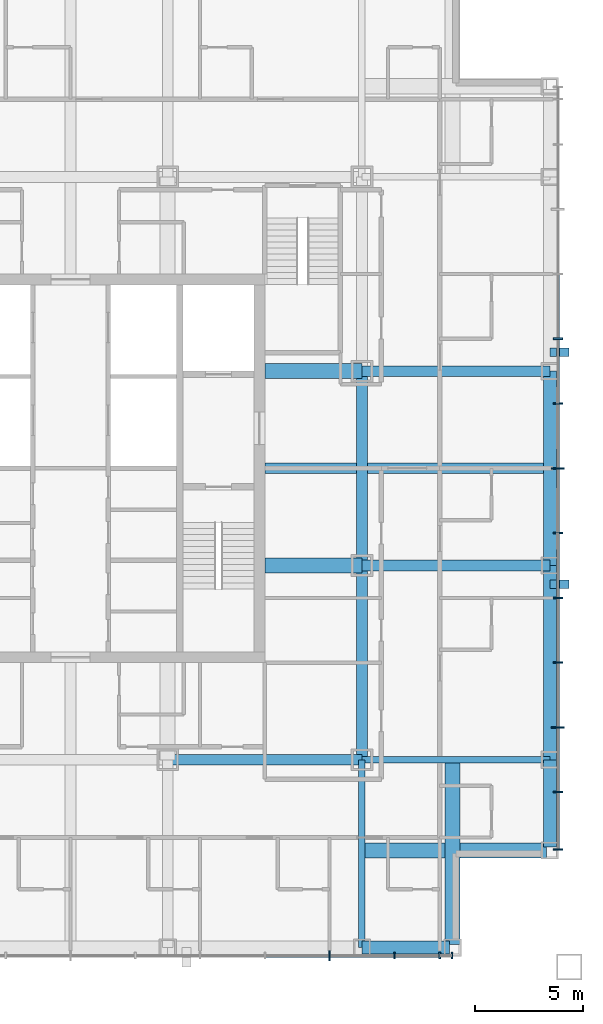
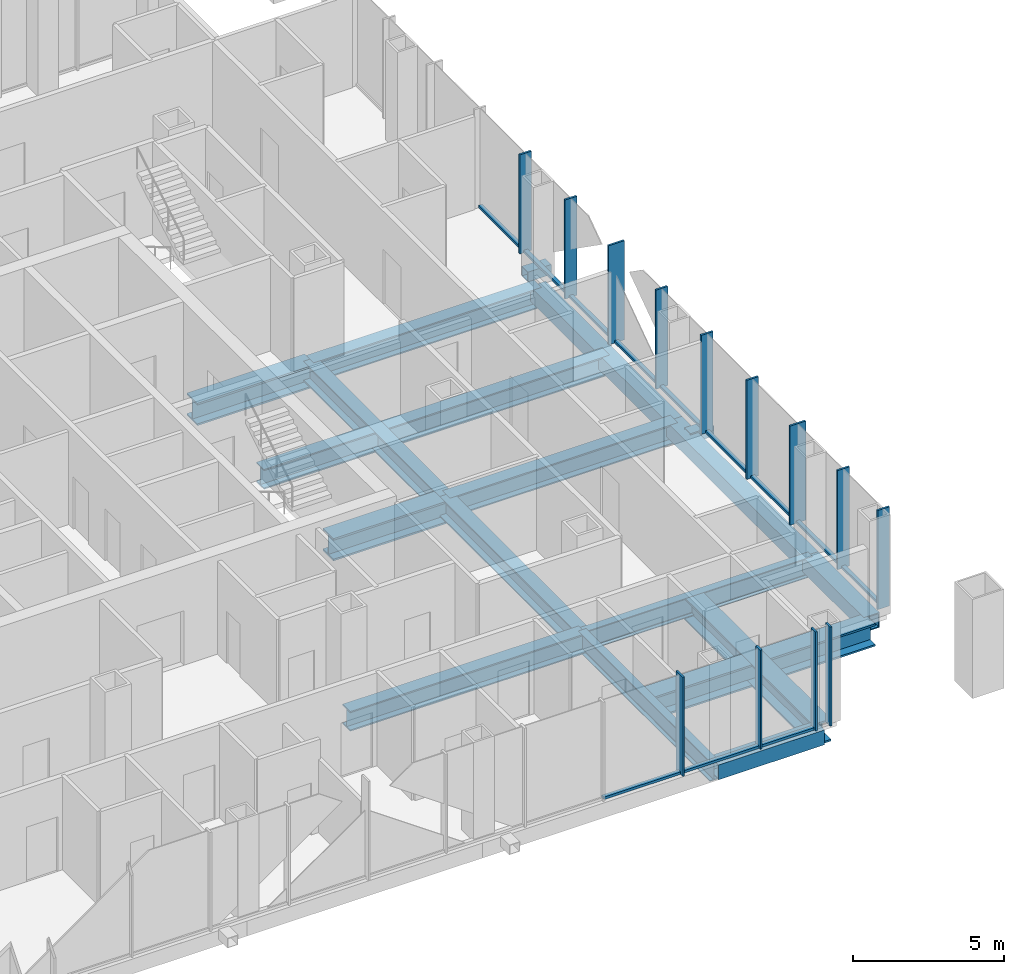
# One storey, part 3 of 17: 27 members, 16 beams, 2 elements without a shape of their own.
"""IFC4 building model written with IfcOpenShell, lengths in metres."""

from ifc_helpers import new_model, si_unit, direction, frame, origin, origin_2d, place, context, subcontext, project, spatial, rectangle, hollow_rectangle, i_section, extrude, material, layer, layer_set, material_profile, profile_set, type_object, element, aggregate, save


model = new_model("IFC4")

# Units and contexts
model_context = context("Model", 3, precision=1e-05, world=origin(), true_north=direction((0.0, 1.0)))
body_context = subcontext(model_context, "Body", "Model", "MODEL_VIEW")
ifc_project = project(units=[si_unit("LENGTHUNIT", "METRE"), si_unit("AREAUNIT", "SQUARE_METRE"), si_unit("VOLUMEUNIT", "CUBIC_METRE"), si_unit("PLANEANGLEUNIT", "RADIAN"), si_unit("MASSUNIT", "GRAM", prefix="KILO")], contexts=[model_context])

# Site, building, storey
site_placement = place(None, origin())
site = spatial("IfcSite", under=ifc_project, at=site_placement, CompositionType="ELEMENT")
building_placement = place(site_placement, origin())
building = spatial("IfcBuilding", under=site, at=building_placement, Name="Malebo Sky Hospital", CompositionType="ELEMENT")
storey_placement = place(building_placement, frame((0.0, 0.0, 189.0)))
storey = spatial("IfcBuildingStorey", under=building, at=storey_placement, Name="L45", CompositionType="ELEMENT", Elevation=189.0)

# Curtain wall, members
ifc_material_1 = material(Name="Anodised aluminium, natural silver", Category="aluminium")
ifc_layer_1 = layer(ifc_material_1, 0.25)
ifc_layer_set_1 = layer_set([ifc_layer_1], Name="WARD CURTAIN WALL NORTH AND SOUTH")
curtain_wall_type_1 = type_object("IfcCurtainWallType", Name="WARD CURTAIN WALL NORTH AND SOUTH", PredefinedType="NOTDEFINED", material=ifc_layer_set_1)
curtain_wall_1_placement = place(storey_placement, origin())
curtain_wall_1 = element("IfcCurtainWall", 1, at=curtain_wall_1_placement, inside=storey, type_object=curtain_wall_type_1, Name="NS curtain wall S", PredefinedType="NOTDEFINED")
ifc_material_profile_1 = material_profile(ifc_material_1, rectangle(XDim=0.14990234375, YDim=0.10009765625, at=origin_2d()), Name="ALUMINIUM TRANSOM 150x100")
ifc_profile_set_1 = profile_set([ifc_material_profile_1], Name="Anodised aluminium, natural silver")
member_type_1 = type_object("IfcMemberType", Name="ALUMINIUM TRANSOM 150x100", PredefinedType="USERDEFINED", material=ifc_profile_set_1)
member_1_placement = place(storey_placement, frame((77.0625, 39.425048828125, 0.050048828125), z_axis=(-1.0, 0.0, 0.0), x_axis=(0.0, -1.0, 0.0)))
member_1 = element("IfcMember", 2, at=member_1_placement, type_object=member_type_1, Name="Transom 2", ObjectType="TRANSOM", PredefinedType="USERDEFINED", context=body_context, shape_type="SweptSolid", body=[
    extrude(rectangle(XDim=0.14990234375, YDim=0.10009765625, at=origin_2d()), origin(), (0.0, 0.0, 1.0), 2.02490234375),
])
member_2_placement = place(storey_placement, frame((74.96240234375, 39.425048828125, 0.050048828125), z_axis=(-1.0, 0.0, 0.0), x_axis=(0.0, -1.0, 0.0)))
member_2 = element("IfcMember", 3, at=member_2_placement, type_object=member_type_1, Name="Transom 3", ObjectType="TRANSOM", PredefinedType="USERDEFINED", context=body_context, shape_type="SweptSolid", body=[
    extrude(rectangle(XDim=0.14990234375, YDim=0.10009765625, at=origin_2d()), origin(), (0.0, 0.0, 1.0), 2.9248046875),
])
member_3_placement = place(storey_placement, frame((71.96240234375, 39.425048828125, 0.050048828125), z_axis=(-1.0, 0.0, 0.0), x_axis=(0.0, -1.0, 0.0)))
member_3 = element("IfcMember", 4, at=member_3_placement, type_object=member_type_1, Name="Transom 4", ObjectType="TRANSOM", PredefinedType="USERDEFINED", context=body_context, shape_type="SweptSolid", body=[
    extrude(rectangle(XDim=0.14990234375, YDim=0.10009765625, at=origin_2d()), origin(), (0.0, 0.0, 1.0), 2.9248046875),
])

ifc_layer_2 = layer(ifc_material_1, 0.25)
ifc_layer_set_2 = layer_set([ifc_layer_2], Name="WARD CURTAIN WALL EAST AND WEST")
curtain_wall_type_2 = type_object("IfcCurtainWallType", Name="WARD CURTAIN WALL EAST AND WEST", PredefinedType="NOTDEFINED", material=ifc_layer_set_2)
curtain_wall_2_placement = place(storey_placement, origin())
curtain_wall_2 = element("IfcCurtainWall", 5, at=curtain_wall_2_placement, inside=storey, type_object=curtain_wall_type_2, Name="EW curtain wall E", PredefinedType="NOTDEFINED")
member_4_placement = place(storey_placement, frame((82.574951171875, 70.96240234375, 0.050048828125), z_axis=(0.0, -1.0, 0.0), x_axis=(1.0, 0.0, 0.0)))
member_4 = element("IfcMember", 6, at=member_4_placement, type_object=member_type_1, Name="Transom 5", ObjectType="TRANSOM", PredefinedType="USERDEFINED", context=body_context, shape_type="SweptSolid", body=[
    extrude(rectangle(XDim=0.14990234375, YDim=0.10009765625, at=origin_2d()), origin(), (0.0, 0.0, 1.0), 2.9248046875),
])
member_5_placement = place(storey_placement, frame((82.574951171875, 67.96240234375, 0.050048828125), z_axis=(0.0, -1.0, 0.0), x_axis=(1.0, 0.0, 0.0)))
member_5 = element("IfcMember", 7, at=member_5_placement, type_object=member_type_1, Name="Transom 6", ObjectType="TRANSOM", PredefinedType="USERDEFINED", context=body_context, shape_type="SweptSolid", body=[
    extrude(rectangle(XDim=0.14990234375, YDim=0.10009765625, at=origin_2d()), origin(), (0.0, 0.0, 1.0), 2.9248046875),
])
member_6_placement = place(storey_placement, frame((82.574951171875, 64.96240234375, 0.050048828125), z_axis=(0.0, -1.0, 0.0), x_axis=(1.0, 0.0, 0.0)))
member_6 = element("IfcMember", 8, at=member_6_placement, type_object=member_type_1, Name="Transom 7", ObjectType="TRANSOM", PredefinedType="USERDEFINED", context=body_context, shape_type="SweptSolid", body=[
    extrude(rectangle(XDim=0.14990234375, YDim=0.10009765625, at=origin_2d()), origin(), (0.0, 0.0, 1.0), 2.9248046875),
])
member_7_placement = place(storey_placement, frame((82.574951171875, 61.96240234375, 0.050048828125), z_axis=(0.0, -1.0, 0.0), x_axis=(1.0, 0.0, 0.0)))
member_7 = element("IfcMember", 9, at=member_7_placement, type_object=member_type_1, Name="Transom 8", ObjectType="TRANSOM", PredefinedType="USERDEFINED", context=body_context, shape_type="SweptSolid", body=[
    extrude(rectangle(XDim=0.14990234375, YDim=0.10009765625, at=origin_2d()), origin(), (0.0, 0.0, 1.0), 2.9248046875),
])
member_8_placement = place(storey_placement, frame((82.574951171875, 58.96240234375, 0.050048828125), z_axis=(0.0, -1.0, 0.0), x_axis=(1.0, 0.0, 0.0)))
member_8 = element("IfcMember", 10, at=member_8_placement, type_object=member_type_1, Name="Transom 9", ObjectType="TRANSOM", PredefinedType="USERDEFINED", context=body_context, shape_type="SweptSolid", body=[
    extrude(rectangle(XDim=0.14990234375, YDim=0.10009765625, at=origin_2d()), origin(), (0.0, 0.0, 1.0), 2.9248046875),
])
member_9_placement = place(storey_placement, frame((82.574951171875, 55.96240234375, 0.050048828125), z_axis=(0.0, -1.0, 0.0), x_axis=(1.0, 0.0, 0.0)))
member_9 = element("IfcMember", 11, at=member_9_placement, type_object=member_type_1, Name="Transom 10", ObjectType="TRANSOM", PredefinedType="USERDEFINED", context=body_context, shape_type="SweptSolid", body=[
    extrude(rectangle(XDim=0.14990234375, YDim=0.10009765625, at=origin_2d()), origin(), (0.0, 0.0, 1.0), 2.9248046875),
])
member_10_placement = place(storey_placement, frame((82.574951171875, 52.96240234375, 0.050048828125), z_axis=(0.0, -1.0, 0.0), x_axis=(1.0, 0.0, 0.0)))
member_10 = element("IfcMember", 12, at=member_10_placement, type_object=member_type_1, Name="Transom 11", ObjectType="TRANSOM", PredefinedType="USERDEFINED", context=body_context, shape_type="SweptSolid", body=[
    extrude(rectangle(XDim=0.14990234375, YDim=0.10009765625, at=origin_2d()), origin(), (0.0, 0.0, 1.0), 2.9248046875),
])
member_11_placement = place(storey_placement, frame((82.574951171875, 49.96240234375, 0.050048828125), z_axis=(0.0, -1.0, 0.0), x_axis=(1.0, 0.0, 0.0)))
member_11 = element("IfcMember", 13, at=member_11_placement, type_object=member_type_1, Name="Transom 12", ObjectType="TRANSOM", PredefinedType="USERDEFINED", context=body_context, shape_type="SweptSolid", body=[
    extrude(rectangle(XDim=0.14990234375, YDim=0.10009765625, at=origin_2d()), origin(), (0.0, 0.0, 1.0), 2.9248046875),
])
member_12_placement = place(storey_placement, frame((82.574951171875, 46.96240234375, 0.050048828125), z_axis=(0.0, -1.0, 0.0), x_axis=(1.0, 0.0, 0.0)))
member_12 = element("IfcMember", 14, at=member_12_placement, type_object=member_type_1, Name="Transom 13", ObjectType="TRANSOM", PredefinedType="USERDEFINED", context=body_context, shape_type="SweptSolid", body=[
    extrude(rectangle(XDim=0.14990234375, YDim=0.10009765625, at=origin_2d()), origin(), (0.0, 0.0, 1.0), 2.58740234375),
])

# Members
ifc_material_2 = material(Name="Steel S355", Category="steel")
ifc_material_profile_2 = material_profile(ifc_material_2, hollow_rectangle(XDim=0.39990234375, YDim=0.39990234375, WallThickness=0.02001953125, at=origin_2d()), Name="SHS 400x20")
ifc_profile_set_2 = profile_set([ifc_material_profile_2], Name="Steel S355")
member_type_2 = type_object("IfcMemberType", Name="BRACE STRUT SHS 400x20", PredefinedType="STRUT", material=ifc_profile_set_2)
for number, where, z_axis, x_axis, name in (
    (15, (83.10009765625, 56.62548828125, -0.39990234375), (-1.0, 0.0, 0.0), (0.0, -1.0, 0.0), "Brace strut CE1 L45"),
    (16, (83.10009765625, 67.37451171875, -0.39990234375), (-1.0, 0.0, 0.0), (0.0, -1.0, 0.0), "Brace strut CE2 L45"),
):
    element("IfcMember", number, at=place(storey_placement, frame(where, z_axis=z_axis, x_axis=x_axis)), inside=storey, type_object=member_type_2, Name=name, PredefinedType="STRUT", context=body_context, shape_type="SweptSolid", body=[
        extrude(hollow_rectangle(XDim=0.39990234375, YDim=0.39990234375, WallThickness=0.02001953125, at=origin_2d()), origin(), (0.0, 0.0, 1.0), 0.900146484375),
    ])

# Member
ifc_material_profile_3 = material_profile(ifc_material_1, rectangle(XDim=0.074951171875, YDim=0.300048828125, at=origin_2d()), Name="CW1 ALUMINIUM FIN MULLION 75x300")
ifc_profile_set_3 = profile_set([ifc_material_profile_3], Name="Anodised aluminium, natural silver")
member_type_3 = type_object("IfcMemberType", Name="CW1 ALUMINIUM FIN MULLION 75x300", PredefinedType="MULLION", material=ifc_profile_set_3)
member_13_placement = place(storey_placement, frame((77.66259765625, 39.425048828125, 0.0), z_axis=(0.0, 0.0, 1.0), x_axis=(-1.0, 0.0, 0.0)))
member_13 = element("IfcMember", 17, at=member_13_placement, type_object=member_type_3, Name="Fin mullion 1", PredefinedType="MULLION", context=body_context, shape_type="SweptSolid", body=[
    extrude(rectangle(XDim=0.074951171875, YDim=0.300048828125, at=origin_2d()), origin(), (0.0, 0.0, 1.0), 4.0),
])

member_14_placement = place(storey_placement, frame((77.10009765625, 39.425048828125, 0.0), z_axis=(0.0, 0.0, 1.0), x_axis=(-1.0, 0.0, 0.0)))
member_14 = element("IfcMember", 18, at=member_14_placement, type_object=member_type_3, Name="Fin mullion 2", PredefinedType="MULLION", context=body_context, shape_type="SweptSolid", body=[
    extrude(rectangle(XDim=0.074951171875, YDim=0.300048828125, at=origin_2d()), origin(), (0.0, 0.0, 1.0), 4.0),
])

member_15_placement = place(storey_placement, frame((75.0, 39.425048828125, 0.0), z_axis=(0.0, 0.0, 1.0), x_axis=(-1.0, 0.0, 0.0)))
member_15 = element("IfcMember", 19, at=member_15_placement, type_object=member_type_3, Name="Fin mullion 3", PredefinedType="MULLION", context=body_context, shape_type="SweptSolid", body=[
    extrude(rectangle(XDim=0.074951171875, YDim=0.300048828125, at=origin_2d()), origin(), (0.0, 0.0, 1.0), 4.0),
])

ifc_material_profile_4 = material_profile(ifc_material_1, rectangle(XDim=0.074951171875, YDim=0.449951171875, at=origin_2d()), Name="CW1 ALUMINIUM FIN MULLION 75x450")
ifc_profile_set_4 = profile_set([ifc_material_profile_4], Name="Anodised aluminium, natural silver")
member_type_4 = type_object("IfcMemberType", Name="CW1 ALUMINIUM FIN MULLION 75x450", PredefinedType="MULLION", material=ifc_profile_set_4)
member_16_placement = place(storey_placement, frame((72.0, 39.425048828125, 0.0), z_axis=(0.0, 0.0, 1.0), x_axis=(-1.0, 0.0, 0.0)))
member_16 = element("IfcMember", 20, at=member_16_placement, type_object=member_type_4, Name="Fin mullion 4", PredefinedType="MULLION", context=body_context, shape_type="SweptSolid", body=[
    extrude(rectangle(XDim=0.074951171875, YDim=0.449951171875, at=origin_2d()), origin(), (0.0, 0.0, 1.0), 4.0),
])

aggregate(curtain_wall_1, [member_13, member_14, member_15, member_16, member_1, member_2, member_3])

ifc_material_profile_5 = material_profile(ifc_material_1, rectangle(XDim=0.074951171875, YDim=0.449951171875, at=origin_2d()), Name="CW2 ALUMINIUM FIN MULLION 75x450")
ifc_profile_set_5 = profile_set([ifc_material_profile_5], Name="Anodised aluminium, natural silver")
member_type_5 = type_object("IfcMemberType", Name="CW2 ALUMINIUM FIN MULLION 75x450", PredefinedType="MULLION", material=ifc_profile_set_5)
member_17_placement = place(storey_placement, frame((82.574951171875, 68.0, 0.0), z_axis=(0.0, 0.0, 1.0), x_axis=(0.0, -1.0, 0.0)))
member_17 = element("IfcMember", 21, at=member_17_placement, type_object=member_type_5, Name="Fin mullion 6", PredefinedType="MULLION", context=body_context, shape_type="SweptSolid", body=[
    extrude(rectangle(XDim=0.074951171875, YDim=0.449951171875, at=origin_2d()), origin(), (0.0, 0.0, 1.0), 4.0),
])

member_18_placement = place(storey_placement, frame((82.574951171875, 65.0, 0.0), z_axis=(0.0, 0.0, 1.0), x_axis=(0.0, -1.0, 0.0)))
member_18 = element("IfcMember", 22, at=member_18_placement, type_object=member_type_5, Name="Fin mullion 7", PredefinedType="MULLION", context=body_context, shape_type="SweptSolid", body=[
    extrude(rectangle(XDim=0.074951171875, YDim=0.449951171875, at=origin_2d()), origin(), (0.0, 0.0, 1.0), 4.0),
])

member_19_placement = place(storey_placement, frame((82.574951171875, 59.0, 0.0), z_axis=(0.0, 0.0, 1.0), x_axis=(0.0, -1.0, 0.0)))
member_19 = element("IfcMember", 23, at=member_19_placement, type_object=member_type_5, Name="Fin mullion 9", PredefinedType="MULLION", context=body_context, shape_type="SweptSolid", body=[
    extrude(rectangle(XDim=0.074951171875, YDim=0.449951171875, at=origin_2d()), origin(), (0.0, 0.0, 1.0), 4.0),
])

member_20_placement = place(storey_placement, frame((82.574951171875, 56.0, 0.0), z_axis=(0.0, 0.0, 1.0), x_axis=(0.0, -1.0, 0.0)))
member_20 = element("IfcMember", 24, at=member_20_placement, type_object=member_type_5, Name="Fin mullion 10", PredefinedType="MULLION", context=body_context, shape_type="SweptSolid", body=[
    extrude(rectangle(XDim=0.074951171875, YDim=0.449951171875, at=origin_2d()), origin(), (0.0, 0.0, 1.0), 4.0),
])

member_21_placement = place(storey_placement, frame((82.574951171875, 53.0, 0.0), z_axis=(0.0, 0.0, 1.0), x_axis=(0.0, -1.0, 0.0)))
member_21 = element("IfcMember", 25, at=member_21_placement, type_object=member_type_5, Name="Fin mullion 11", PredefinedType="MULLION", context=body_context, shape_type="SweptSolid", body=[
    extrude(rectangle(XDim=0.074951171875, YDim=0.449951171875, at=origin_2d()), origin(), (0.0, 0.0, 1.0), 4.0),
])

member_22_placement = place(storey_placement, frame((82.574951171875, 47.0, 0.0), z_axis=(0.0, 0.0, 1.0), x_axis=(0.0, -1.0, 0.0)))
member_22 = element("IfcMember", 26, at=member_22_placement, type_object=member_type_5, Name="Fin mullion 13", PredefinedType="MULLION", context=body_context, shape_type="SweptSolid", body=[
    extrude(rectangle(XDim=0.074951171875, YDim=0.449951171875, at=origin_2d()), origin(), (0.0, 0.0, 1.0), 4.0),
])

member_23_placement = place(storey_placement, frame((82.574951171875, 44.33740234375, 0.0), z_axis=(0.0, 0.0, 1.0), x_axis=(0.0, -1.0, 0.0)))
member_23 = element("IfcMember", 27, at=member_23_placement, type_object=member_type_5, Name="Fin mullion 14", PredefinedType="MULLION", context=body_context, shape_type="SweptSolid", body=[
    extrude(rectangle(XDim=0.074951171875, YDim=0.449951171875, at=origin_2d()), origin(), (0.0, 0.0, 1.0), 4.0),
])

ifc_material_profile_6 = material_profile(ifc_material_1, rectangle(XDim=0.074951171875, YDim=0.60009765625, at=origin_2d()), Name="CW2 ALUMINIUM FIN MULLION 75x600")
ifc_profile_set_6 = profile_set([ifc_material_profile_6], Name="Anodised aluminium, natural silver")
member_type_6 = type_object("IfcMemberType", Name="CW2 ALUMINIUM FIN MULLION 75x600", PredefinedType="MULLION", material=ifc_profile_set_6)
member_24_placement = place(storey_placement, frame((82.574951171875, 62.0, 0.0), z_axis=(0.0, 0.0, 1.0), x_axis=(0.0, -1.0, 0.0)))
member_24 = element("IfcMember", 28, at=member_24_placement, type_object=member_type_6, Name="Fin mullion 8", PredefinedType="MULLION", context=body_context, shape_type="SweptSolid", body=[
    extrude(rectangle(XDim=0.074951171875, YDim=0.60009765625, at=origin_2d()), origin(), (0.0, 0.0, 1.0), 4.0),
])

member_25_placement = place(storey_placement, frame((82.574951171875, 50.0, 0.0), z_axis=(0.0, 0.0, 1.0), x_axis=(0.0, -1.0, 0.0)))
member_25 = element("IfcMember", 29, at=member_25_placement, type_object=member_type_6, Name="Fin mullion 12", PredefinedType="MULLION", context=body_context, shape_type="SweptSolid", body=[
    extrude(rectangle(XDim=0.074951171875, YDim=0.60009765625, at=origin_2d()), origin(), (0.0, 0.0, 1.0), 4.0),
])

aggregate(curtain_wall_2, [member_17, member_18, member_24, member_19, member_20, member_21, member_25, member_22, member_23, member_4, member_5, member_6, member_7, member_8, member_9, member_10, member_11, member_12])

# Beams
ifc_material_3 = material(Name="Steel S460", Category="steel")
ifc_material_profile_7 = material_profile(ifc_material_3, hollow_rectangle(XDim=0.60009765625, YDim=0.60009765625, WallThickness=0.0400390625, at=origin_2d()), Name="BOX 600x600x40")
ifc_profile_set_7 = profile_set([ifc_material_profile_7], Name="Steel S460")
beam_type_1 = type_object("IfcBeamType", Name="EDGE BEAM BOX 600x600x40", PredefinedType="BEAM", material=ifc_profile_set_7)
beam_1_placement = place(storey_placement, frame((82.199951171875, 44.449951171875, -0.550048828125), z_axis=(0.0, 1.0, 0.0), x_axis=(-1.0, 0.0, 0.0)))
element("IfcBeam", 30, at=beam_1_placement, inside=storey, type_object=beam_type_1, Name="Beam 029 L45", PredefinedType="BEAM", context=body_context, shape_type="SweptSolid", body=[
    extrude(hollow_rectangle(XDim=0.60009765625, YDim=0.60009765625, WallThickness=0.0400390625, at=origin_2d()), origin(), (0.0, 0.0, 1.0), 4.050048828125),
])
for number, where, z_axis, x_axis, name in (
    (31, (82.199951171875, 48.5, -0.550048828125), (0.0, 1.0, 0.0), (-1.0, 0.0, 0.0), "Beam 030 L45"),
    (32, (82.199951171875, 57.5, -0.550048828125), (0.0, 1.0, 0.0), (-1.0, 0.0, 0.0), "Beam 031 L45"),
):
    element("IfcBeam", number, at=place(storey_placement, frame(where, z_axis=z_axis, x_axis=x_axis)), inside=storey, type_object=beam_type_1, Name=name, PredefinedType="BEAM", context=body_context, shape_type="SweptSolid", body=[
        extrude(hollow_rectangle(XDim=0.60009765625, YDim=0.60009765625, WallThickness=0.0400390625, at=origin_2d()), origin(), (0.0, 0.0, 1.0), 9.0),
    ])
beam_2_placement = place(storey_placement, frame((73.5, 39.800048828125, -0.550048828125), z_axis=(1.0, 0.0, 0.0), x_axis=(0.0, 1.0, 0.0)))
element("IfcBeam", 33, at=beam_2_placement, inside=storey, type_object=beam_type_1, Name="Beam 038 L45", PredefinedType="BEAM", context=body_context, shape_type="SweptSolid", body=[
    extrude(hollow_rectangle(XDim=0.60009765625, YDim=0.60009765625, WallThickness=0.0400390625, at=origin_2d()), origin(), (0.0, 0.0, 1.0), 4.050048828125),
])
ifc_material_profile_8 = material_profile(ifc_material_2, i_section(OverallWidth=0.5, OverallDepth=0.800048828125, WebThickness=0.030029296875, FlangeThickness=0.050048828125, at=origin_2d()), Name="PG 800x500x30x50")
ifc_profile_set_8 = profile_set([ifc_material_profile_8], Name="Steel S355")
beam_type_2 = type_object("IfcBeamType", Name="FLOOR BEAM PG 800x500x30x50", PredefinedType="BEAM", material=ifc_profile_set_8)
for number, where, z_axis, x_axis, name in (
    (34, (73.5, 48.5, -0.64990234375), (0.0, 1.0, 0.0), (-1.0, 0.0, 0.0), "Beam 023 L45"),
    (35, (64.5, 48.5, -0.64990234375), (1.0, 0.0, 0.0), (0.0, 1.0, 0.0), "Beam 044 L45"),
):
    element("IfcBeam", number, at=place(storey_placement, frame(where, z_axis=z_axis, x_axis=x_axis)), inside=storey, type_object=beam_type_2, Name=name, PredefinedType="BEAM", context=body_context, shape_type="SweptSolid", body=[
        extrude(i_section(OverallWidth=0.5, OverallDepth=0.800048828125, WebThickness=0.030029296875, FlangeThickness=0.050048828125, at=origin_2d()), origin(), (0.0, 0.0, 1.0), 9.0),
    ])
beam_3_placement = place(storey_placement, frame((73.5, 57.5, -0.64990234375), z_axis=(1.0, 0.0, 0.0), x_axis=(0.0, 1.0, 0.0)))
element("IfcBeam", 36, at=beam_3_placement, inside=storey, type_object=beam_type_2, Name="Beam 049 L45", PredefinedType="BEAM", context=body_context, shape_type="SweptSolid", body=[
    extrude(i_section(OverallWidth=0.5, OverallDepth=0.800048828125, WebThickness=0.030029296875, FlangeThickness=0.050048828125, at=origin_2d()), origin(), (0.0, 0.0, 1.0), 8.699951171875),
])
beam_4_placement = place(storey_placement, frame((69.0, 62.0, -0.64990234375), z_axis=(1.0, 0.0, 0.0), x_axis=(0.0, 1.0, 0.0)))
element("IfcBeam", 37, at=beam_4_placement, inside=storey, type_object=beam_type_2, Name="Beam 051 L45", PredefinedType="BEAM", context=body_context, shape_type="SweptSolid", body=[
    extrude(i_section(OverallWidth=0.5, OverallDepth=0.800048828125, WebThickness=0.030029296875, FlangeThickness=0.050048828125, at=origin_2d()), origin(), (0.0, 0.0, 1.0), 13.199951171875),
])
beam_5_placement = place(storey_placement, frame((73.5, 66.5, -0.64990234375), z_axis=(1.0, 0.0, 0.0), x_axis=(0.0, 1.0, 0.0)))
element("IfcBeam", 38, at=beam_5_placement, inside=storey, type_object=beam_type_2, Name="Beam 055 L45", PredefinedType="BEAM", context=body_context, shape_type="SweptSolid", body=[
    extrude(i_section(OverallWidth=0.5, OverallDepth=0.800048828125, WebThickness=0.030029296875, FlangeThickness=0.050048828125, at=origin_2d()), origin(), (0.0, 0.0, 1.0), 8.699951171875),
])
ifc_material_profile_9 = material_profile(ifc_material_2, i_section(OverallWidth=0.699951171875, OverallDepth=0.89990234375, WebThickness=0.0400390625, FlangeThickness=0.070068359375, at=origin_2d()), Name="PG 900x700x40x70")
ifc_profile_set_9 = profile_set([ifc_material_profile_9], Name="Steel S355")
beam_type_3 = type_object("IfcBeamType", Name="FLOOR BEAM PG 900x700x40x70", PredefinedType="BEAM", material=ifc_profile_set_9)
for number, where, z_axis, x_axis, name in (
    (39, (77.699951171875, 39.949951171875, -0.699951171875), (0.0, 1.0, 0.0), (-1.0, 0.0, 0.0), "Beam 027 L45"),
    (40, (73.5, 44.300048828125, -0.699951171875), (1.0, 0.0, 0.0), (0.0, 1.0, 0.0), "Beam 040 L45"),
):
    element("IfcBeam", number, at=place(storey_placement, frame(where, z_axis=z_axis, x_axis=x_axis)), inside=storey, type_object=beam_type_3, Name=name, PredefinedType="BEAM", context=body_context, shape_type="SweptSolid", body=[
        extrude(i_section(OverallWidth=0.699951171875, OverallDepth=0.89990234375, WebThickness=0.0400390625, FlangeThickness=0.070068359375, at=origin_2d()), origin(), (0.0, 0.0, 1.0), 8.550048828125),
    ])
for number, where, z_axis, x_axis, name in (
    (41, (69.0, 57.5, -0.699951171875), (1.0, 0.0, 0.0), (0.0, 1.0, 0.0), "Beam 048 L45"),
    (42, (69.0, 66.5, -0.699951171875), (1.0, 0.0, 0.0), (0.0, 1.0, 0.0), "Beam 054 L45"),
):
    element("IfcBeam", number, at=place(storey_placement, frame(where, z_axis=z_axis, x_axis=x_axis)), inside=storey, type_object=beam_type_3, Name=name, PredefinedType="BEAM", context=body_context, shape_type="SweptSolid", body=[
        extrude(i_section(OverallWidth=0.699951171875, OverallDepth=0.89990234375, WebThickness=0.0400390625, FlangeThickness=0.070068359375, at=origin_2d()), origin(), (0.0, 0.0, 1.0), 4.5),
    ])
ifc_material_profile_10 = material_profile(ifc_material_2, i_section(OverallWidth=0.300048828125, OverallDepth=0.800048828125, WebThickness=0.017578125, FlangeThickness=0.032958984375, FilletRadius=0.030029296875, at=origin_2d()), Name="HEB 800")
ifc_profile_set_10 = profile_set([ifc_material_profile_10], Name="Steel S355")
beam_type_4 = type_object("IfcBeamType", Name="FLOOR GIRDER HEB 800", PredefinedType="BEAM", material=ifc_profile_set_10)
for number, where, z_axis, x_axis, name in (
    (43, (73.5, 39.800048828125, -0.64990234375), (0.0, 1.0, 0.0), (-1.0, 0.0, 0.0), "Beam 022 L45"),
    (44, (73.5, 48.5, -0.64990234375), (1.0, 0.0, 0.0), (0.0, 1.0, 0.0), "Beam 045 L45"),
):
    element("IfcBeam", number, at=place(storey_placement, frame(where, z_axis=z_axis, x_axis=x_axis)), inside=storey, type_object=beam_type_4, Name=name, PredefinedType="BEAM", context=body_context, shape_type="SweptSolid", body=[
        extrude(i_section(OverallWidth=0.300048828125, OverallDepth=0.800048828125, WebThickness=0.017578125, FlangeThickness=0.032958984375, FilletRadius=0.030029296875, at=origin_2d()), origin(), (0.0, 0.0, 1.0), 8.699951171875),
    ])
ifc_material_profile_11 = material_profile(ifc_material_2, i_section(OverallWidth=0.5, OverallDepth=0.800048828125, WebThickness=0.030029296875, FlangeThickness=0.050048828125, at=origin_2d()), Name="PG 800x500x30x50")
ifc_profile_set_11 = profile_set([ifc_material_profile_11], Name="Steel S355")
beam_type_5 = type_object("IfcBeamType", Name="RING GIRDER PG 800x500x30x50", PredefinedType="BEAM", material=ifc_profile_set_11)
beam_6_placement = place(storey_placement, frame((73.5, 57.5, -0.64990234375), z_axis=(0.0, 1.0, 0.0), x_axis=(-1.0, 0.0, 0.0)))
element("IfcBeam", 45, at=beam_6_placement, inside=storey, type_object=beam_type_5, Name="Beam 024 L45", PredefinedType="BEAM", context=body_context, shape_type="SweptSolid", body=[
    extrude(i_section(OverallWidth=0.5, OverallDepth=0.800048828125, WebThickness=0.030029296875, FlangeThickness=0.050048828125, at=origin_2d()), origin(), (0.0, 0.0, 1.0), 9.0),
])

save(model, "model.ifc")
